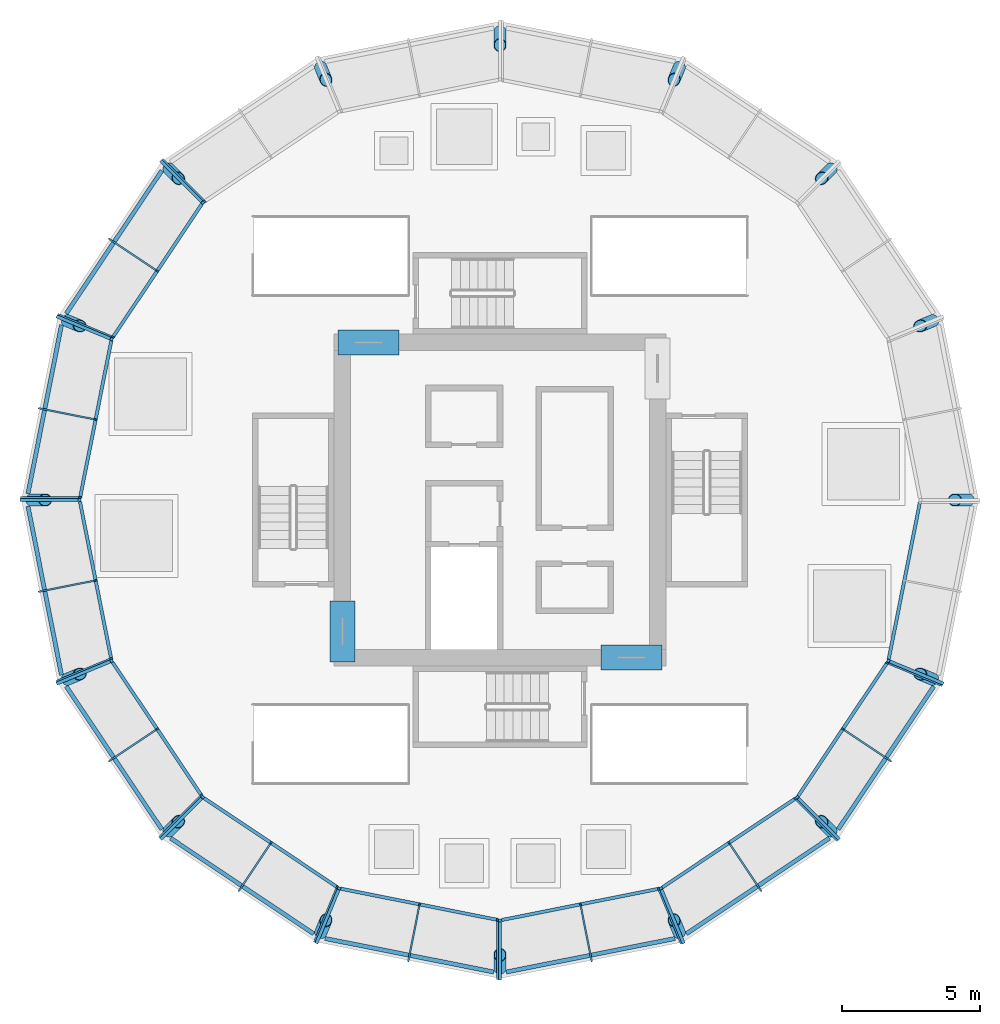
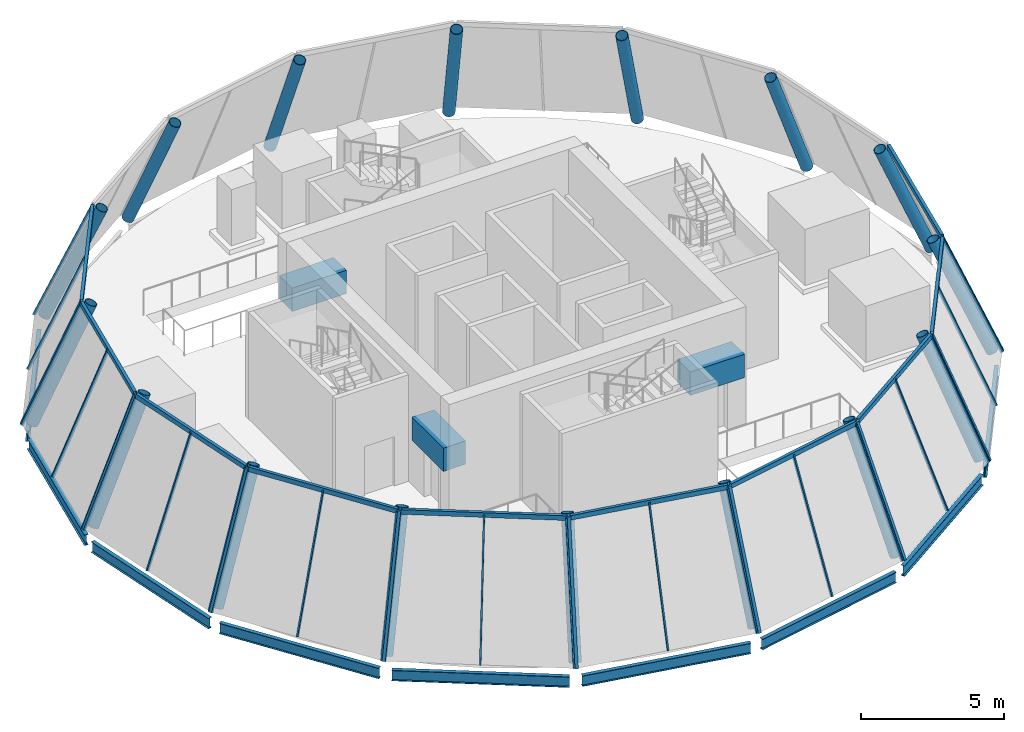
# One storey, part 1 of 8: 39 members, 16 columns, 12 beams, 11 elements without a shape of their own.
"""IFC4 building model written with IfcOpenShell, lengths in metres."""

from ifc_helpers import new_model, si_unit, direction, frame, origin, origin_2d, place, context, subcontext, project, spatial, rectangle, hollow_rectangle, hollow_circle, i_section, extrude, material, material_profile, profile_set, type_object, element, aggregate, save


model = new_model("IFC4")

# Units and contexts
model_context = context("Model", 3, precision=1e-05, world=origin(), true_north=direction((0.0, 1.0)))
body_context = subcontext(model_context, "Body", "Model", "MODEL_VIEW")
ifc_project = project(units=[si_unit("LENGTHUNIT", "METRE"), si_unit("AREAUNIT", "SQUARE_METRE"), si_unit("VOLUMEUNIT", "CUBIC_METRE"), si_unit("PLANEANGLEUNIT", "RADIAN"), si_unit("MASSUNIT", "GRAM", prefix="KILO")], contexts=[model_context])

# Site, building, storey
site_placement = place(None, origin())
site = spatial("IfcSite", under=ifc_project, at=site_placement, CompositionType="ELEMENT")
building_placement = place(site_placement, origin())
building = spatial("IfcBuilding", under=site, at=building_placement, Name="Corvane Civic Tower", CompositionType="ELEMENT")
storey_placement = place(building_placement, frame((0.0, 0.0, 392.5)))
storey = spatial("IfcBuildingStorey", under=building, at=storey_placement, Name="L93", CompositionType="ELEMENT", Elevation=392.5)

# Columns
ifc_material_1 = material(Name="Steel ASTM A572 Gr 50", Category="steel")
ifc_material_profile_1 = material_profile(ifc_material_1, hollow_circle(Radius=0.22509765625, WallThickness=0.02001953125, at=origin_2d()), Name="CHS450X20")
ifc_profile_set_1 = profile_set([ifc_material_profile_1], Name="Steel ASTM A572 Gr 50")
column_type = type_object("IfcColumnType", Name="CROWN RIB CHS450X20", PredefinedType="COLUMN", material=ifc_profile_set_1)
for number, where, z_axis, x_axis, name in (
    (1, (0.0, 16.939453125, 0.02490234375), (0.0, -0.387218591006, 0.921987940691), (1.0, 0.0, 0.0), "Crown rib CR-1"),
    (2, (6.482421875, 15.650146484375, 0.02490234375), (-0.14818571213, -0.357752270705, 0.92198389765), (0.92387965154, -0.382683145003, 0.0), "Crown rib CR-3"),
    (3, (11.97802734375, 11.97802734375, 0.02490234375), (-0.273808220649, -0.273808220649, 0.921985963347), (0.707106781187, -0.707106781187, 0.0), "Crown rib CR-5"),
    (4, (15.650146484375, 6.482421875, 0.02490234375), (-0.357752270705, -0.14818571213, 0.92198389765), (0.382683145003, -0.92387965154, 0.0), "Crown rib CR-7"),
    (5, (16.939453125, 0.0, 0.02490234375), (-0.387218591006, 0.0, 0.921987940691), (0.0, -1.0, 0.0), "Crown rib CR-9"),
    (6, (15.650146484375, -6.482421875, 0.02490234375), (-0.357752270705, 0.14818571213, 0.92198389765), (-0.382683145003, -0.92387965154, 0.0), "Crown rib CR-11"),
    (7, (11.97802734375, -11.97802734375, 0.02490234375), (-0.273808220649, 0.273808220649, 0.921985963347), (-0.707106781187, -0.707106781187, 0.0), "Crown rib CR-13"),
    (8, (6.482421875, -15.650146484375, 0.02490234375), (-0.14818571213, 0.357752270705, 0.92198389765), (-0.92387965154, -0.382683145003, 0.0), "Crown rib CR-15"),
    (9, (0.0, -16.939453125, 0.02490234375), (0.0, 0.387218591006, 0.921987940691), (-1.0, 0.0, 0.0), "Crown rib CR-17"),
    (10, (-6.482421875, -15.650146484375, 0.02490234375), (0.14818571213, 0.357752270705, 0.92198389765), (-0.92387965154, 0.382683145003, 0.0), "Crown rib CR-19"),
    (11, (-11.97802734375, -11.97802734375, 0.02490234375), (0.273808220649, 0.273808220649, 0.921985963347), (-0.707106781187, 0.707106781187, 0.0), "Crown rib CR-21"),
    (12, (-15.650146484375, -6.482421875, 0.02490234375), (0.357752270705, 0.14818571213, 0.92198389765), (-0.382683145003, 0.92387965154, 0.0), "Crown rib CR-23"),
    (13, (-16.939453125, 0.0, 0.02490234375), (0.387218591006, 0.0, 0.921987940691), (0.0, 1.0, 0.0), "Crown rib CR-25"),
    (14, (-15.650146484375, 6.482421875, 0.02490234375), (0.357752270705, -0.14818571213, 0.92198389765), (0.382683145003, 0.92387965154, 0.0), "Crown rib CR-27"),
    (15, (-11.97802734375, 11.97802734375, 0.02490234375), (0.273808220649, -0.273808220649, 0.921985963347), (0.707106781187, 0.707106781187, 0.0), "Crown rib CR-29"),
    (16, (-6.482421875, 15.650146484375, 0.02490234375), (0.14818571213, -0.357752270705, 0.92198389765), (0.92387965154, 0.382683145003, 0.0), "Crown rib CR-31"),
):
    element("IfcColumn", number, at=place(storey_placement, frame(where, z_axis=z_axis, x_axis=x_axis)), inside=storey, type_object=column_type, Name=name, PredefinedType="COLUMN", context=body_context, shape_type="SweptSolid", body=[
        extrude(hollow_circle(Radius=0.22509765625, WallThickness=0.02001953125, at=origin_2d()), origin(), (0.0, 0.0, 1.0), 5.37744140625),
    ])

# Beams
ifc_material_2 = material(Name="Concrete C40/50", Category="concrete")
ifc_material_profile_2 = material_profile(ifc_material_2, rectangle(XDim=0.89990234375, YDim=1.0, at=origin_2d()), Name="COUPLING BEAM 900X1000")
ifc_profile_set_2 = profile_set([ifc_material_profile_2], Name="Concrete C40/50")
beam_type_1 = type_object("IfcBeamType", Name="COUPLING BEAM COUPLING BEAM 900X1000", PredefinedType="BEAM", material=ifc_profile_set_2)
for number, where, z_axis, x_axis, name in (
    (17, (-5.85009765625, 5.699951171875, 2.60009765625), (1.0, 0.0, 0.0), (0.0, 1.0, 0.0), "BM-L93-cpl-CW-N"),
    (18, (-5.699951171875, -5.85009765625, 2.60009765625), (0.0, 1.0, 0.0), (-1.0, 0.0, 0.0), "BM-L93-cpl-CW-W"),
    (19, (3.64990234375, -5.699951171875, 2.60009765625), (1.0, 0.0, 0.0), (0.0, 1.0, 0.0), "BM-L93-cpl-CW-S"),
):
    element("IfcBeam", number, at=place(storey_placement, frame(where, z_axis=z_axis, x_axis=x_axis)), inside=storey, type_object=beam_type_1, Name=name, PredefinedType="BEAM", context=body_context, shape_type="SweptSolid", body=[
        extrude(rectangle(XDim=0.89990234375, YDim=1.0, at=origin_2d()), origin(), (0.0, 0.0, 1.0), 2.2001953125),
    ])

# Curtain wall, member
ifc_material_3 = material(Name="Aluminium and glass", Category="aluminium")
curtain_wall_type = type_object("IfcCurtainWallType", Name="CROWN-CW-K-FACET", PredefinedType="NOTDEFINED", material=ifc_material_3)
curtain_wall_1_placement = place(storey_placement, origin())
curtain_wall_1 = element("IfcCurtainWall", 20, at=curtain_wall_1_placement, inside=storey, type_object=curtain_wall_type, Name="Glass cone facet 2 row 2", PredefinedType="NOTDEFINED")
ifc_material_4 = material(Name="Steel ASTM A500 Gr C", Category="steel")
ifc_material_profile_3 = material_profile(ifc_material_4, hollow_rectangle(XDim=0.06005859375, YDim=0.1201171875, WallThickness=0.0048828125, at=origin_2d()), Name="RHS 120x60x5")
ifc_profile_set_3 = profile_set([ifc_material_profile_3], Name="Steel ASTM A500 Gr C")
member_type_1 = type_object("IfcMemberType", Name="CROWN-CWK-MULLION-RHS120x60x5", PredefinedType="MULLION", material=ifc_profile_set_3)
member_1_placement = place(storey_placement, frame((-12.158203125, 12.282958984375, 0.0), z_axis=(0.273846803484, -0.273801785104, 0.921976415477), x_axis=(0.70704865247, 0.707164905125, 0.0)))
member_1 = element("IfcMember", 21, at=member_1_placement, type_object=member_type_1, Name="Cone mullion 2.2J", PredefinedType="MULLION", context=body_context, shape_type="SweptSolid", body=[
    extrude(hollow_rectangle(XDim=0.06005859375, YDim=0.1201171875, WallThickness=0.0048828125, at=origin_2d()), origin(), (0.0, 0.0, 1.0), 5.423095703125),
])
aggregate(curtain_wall_1, [member_1])

# Curtain wall, members
curtain_wall_2_placement = place(storey_placement, origin())
curtain_wall_2 = element("IfcCurtainWall", 22, at=curtain_wall_2_placement, inside=storey, type_object=curtain_wall_type, Name="Glass cone facet 3 row 2", PredefinedType="NOTDEFINED")
member_2_placement = place(storey_placement, frame((-14.10791015625, 9.426513671875, 0.0), z_axis=(0.316671182623, -0.211565606184, 0.924640122629), x_axis=(0.555520650274, 0.831502740295, 0.0)))
member_2 = element("IfcMember", 23, at=member_2_placement, type_object=member_type_1, Name="Cone mullion 3.2M", PredefinedType="MULLION", context=body_context, shape_type="SweptSolid", body=[
    extrude(hollow_rectangle(XDim=0.06005859375, YDim=0.1201171875, WallThickness=0.0048828125, at=origin_2d()), origin(), (0.0, 0.0, 1.0), 5.407470703125),
])
member_3_placement = place(storey_placement, frame((-15.93310546875, 6.6953125, 0.0), z_axis=(0.35776162147, -0.148200737118, 0.921977854247), x_axis=(0.38270772543, 0.92386946962, 0.0)))
member_3 = element("IfcMember", 24, at=member_3_placement, type_object=member_type_1, Name="Cone mullion 3.2J", PredefinedType="MULLION", context=body_context, shape_type="SweptSolid", body=[
    extrude(hollow_rectangle(XDim=0.06005859375, YDim=0.1201171875, WallThickness=0.0048828125, at=origin_2d()), origin(), (0.0, 0.0, 1.0), 5.423095703125),
])

curtain_wall_3_placement = place(storey_placement, origin())
curtain_wall_3 = element("IfcCurtainWall", 25, at=curtain_wall_3_placement, inside=storey, type_object=curtain_wall_type, Name="Glass cone facet 4 row 2", PredefinedType="NOTDEFINED")
member_4_placement = place(storey_placement, frame((-16.6416015625, 3.310302734375, 0.0), z_axis=(0.373553043636, -0.074313307931, 0.924627306462), x_axis=(0.195113021404, 0.980780764941, 0.0)))
member_4 = element("IfcMember", 26, at=member_4_placement, type_object=member_type_1, Name="Cone mullion 4.2M", PredefinedType="MULLION", context=body_context, shape_type="SweptSolid", body=[
    extrude(hollow_rectangle(XDim=0.06005859375, YDim=0.1201171875, WallThickness=0.0048828125, at=origin_2d()), origin(), (0.0, 0.0, 1.0), 5.407470703125),
])
member_5_placement = place(storey_placement, frame((-17.282470703125, 0.08837890625, 0.0), z_axis=(0.387247791457, 0.0, 0.921975676475), x_axis=(0.0, 1.0, 0.0)))
member_5 = element("IfcMember", 27, at=member_5_placement, type_object=member_type_1, Name="Cone mullion 4.2J", PredefinedType="MULLION", context=body_context, shape_type="SweptSolid", body=[
    extrude(hollow_rectangle(XDim=0.06005859375, YDim=0.1201171875, WallThickness=0.0048828125, at=origin_2d()), origin(), (0.0, 0.0, 1.0), 5.423095703125),
])

curtain_wall_4_placement = place(storey_placement, origin())
curtain_wall_4 = element("IfcCurtainWall", 28, at=curtain_wall_4_placement, inside=storey, type_object=curtain_wall_type, Name="Glass cone facet 5 row 2", PredefinedType="NOTDEFINED")
member_6_placement = place(storey_placement, frame((-16.6416015625, -3.310302734375, 0.0), z_axis=(0.373553043636, 0.074313307931, 0.924627306462), x_axis=(-0.195113021404, 0.980780764941, 0.0)))
member_6 = element("IfcMember", 29, at=member_6_placement, type_object=member_type_1, Name="Cone mullion 5.2M", PredefinedType="MULLION", context=body_context, shape_type="SweptSolid", body=[
    extrude(hollow_rectangle(XDim=0.06005859375, YDim=0.1201171875, WallThickness=0.0048828125, at=origin_2d()), origin(), (0.0, 0.0, 1.0), 5.407470703125),
])
member_7_placement = place(storey_placement, frame((-16.000732421875, -6.531982421875, 0.0), z_axis=(0.357764008033, 0.148156706988, 0.921984004596), x_axis=(-0.382608492088, 0.92391057023, 0.0)))
member_7 = element("IfcMember", 30, at=member_7_placement, type_object=member_type_1, Name="Cone mullion 5.2J", PredefinedType="MULLION", context=body_context, shape_type="SweptSolid", body=[
    extrude(hollow_rectangle(XDim=0.06005859375, YDim=0.1201171875, WallThickness=0.0048828125, at=origin_2d()), origin(), (0.0, 0.0, 1.0), 5.423095703125),
])

curtain_wall_5_placement = place(storey_placement, origin())
curtain_wall_5 = element("IfcCurtainWall", 31, at=curtain_wall_5_placement, inside=storey, type_object=curtain_wall_type, Name="Glass cone facet 6 row 2", PredefinedType="NOTDEFINED")
member_8_placement = place(storey_placement, frame((-14.10791015625, -9.426513671875, 0.0), z_axis=(0.316671182623, 0.211565606184, 0.924640122629), x_axis=(-0.555520650274, 0.831502740295, 0.0)))
member_8 = element("IfcMember", 32, at=member_8_placement, type_object=member_type_1, Name="Cone mullion 6.2M", PredefinedType="MULLION", context=body_context, shape_type="SweptSolid", body=[
    extrude(hollow_rectangle(XDim=0.06005859375, YDim=0.1201171875, WallThickness=0.0048828125, at=origin_2d()), origin(), (0.0, 0.0, 1.0), 5.407470703125),
])
member_9_placement = place(storey_placement, frame((-12.282958984375, -12.158203125, 0.0), z_axis=(0.273801785104, 0.273846803484, 0.921976415477), x_axis=(-0.707164905125, 0.70704865247, 0.0)))
member_9 = element("IfcMember", 33, at=member_9_placement, type_object=member_type_1, Name="Cone mullion 6.2J", PredefinedType="MULLION", context=body_context, shape_type="SweptSolid", body=[
    extrude(hollow_rectangle(XDim=0.06005859375, YDim=0.1201171875, WallThickness=0.0048828125, at=origin_2d()), origin(), (0.0, 0.0, 1.0), 5.423095703125),
])

curtain_wall_6_placement = place(storey_placement, origin())
curtain_wall_6 = element("IfcCurtainWall", 34, at=curtain_wall_6_placement, inside=storey, type_object=curtain_wall_type, Name="Glass cone facet 7 row 2", PredefinedType="NOTDEFINED")
member_10_placement = place(storey_placement, frame((-9.426513671875, -14.10791015625, 0.0), z_axis=(0.211565606184, 0.316671182623, 0.924640122629), x_axis=(-0.831502740295, 0.555520650274, 0.0)))
member_10 = element("IfcMember", 35, at=member_10_placement, type_object=member_type_1, Name="Cone mullion 7.2M", PredefinedType="MULLION", context=body_context, shape_type="SweptSolid", body=[
    extrude(hollow_rectangle(XDim=0.06005859375, YDim=0.1201171875, WallThickness=0.0048828125, at=origin_2d()), origin(), (0.0, 0.0, 1.0), 5.407470703125),
])
member_11_placement = place(storey_placement, frame((-6.6953125, -15.93310546875, 0.0), z_axis=(0.148200737118, 0.35776162147, 0.921977854247), x_axis=(-0.92386946962, 0.38270772543, 0.0)))
member_11 = element("IfcMember", 36, at=member_11_placement, type_object=member_type_1, Name="Cone mullion 7.2J", PredefinedType="MULLION", context=body_context, shape_type="SweptSolid", body=[
    extrude(hollow_rectangle(XDim=0.06005859375, YDim=0.1201171875, WallThickness=0.0048828125, at=origin_2d()), origin(), (0.0, 0.0, 1.0), 5.423095703125),
])

curtain_wall_7_placement = place(storey_placement, origin())
curtain_wall_7 = element("IfcCurtainWall", 37, at=curtain_wall_7_placement, inside=storey, type_object=curtain_wall_type, Name="Glass cone facet 8 row 2", PredefinedType="NOTDEFINED")
member_12_placement = place(storey_placement, frame((-3.310302734375, -16.6416015625, 0.0), z_axis=(0.074313307931, 0.373553043636, 0.924627306462), x_axis=(-0.980780764941, 0.195113021404, 0.0)))
member_12 = element("IfcMember", 38, at=member_12_placement, type_object=member_type_1, Name="Cone mullion 8.2M", PredefinedType="MULLION", context=body_context, shape_type="SweptSolid", body=[
    extrude(hollow_rectangle(XDim=0.06005859375, YDim=0.1201171875, WallThickness=0.0048828125, at=origin_2d()), origin(), (0.0, 0.0, 1.0), 5.407470703125),
])
member_13_placement = place(storey_placement, frame((-0.08837890625, -17.282470703125, 0.0), z_axis=(0.0, 0.387247791457, 0.921975676475), x_axis=(-1.0, 0.0, 0.0)))
member_13 = element("IfcMember", 39, at=member_13_placement, type_object=member_type_1, Name="Cone mullion 8.2J", PredefinedType="MULLION", context=body_context, shape_type="SweptSolid", body=[
    extrude(hollow_rectangle(XDim=0.06005859375, YDim=0.1201171875, WallThickness=0.0048828125, at=origin_2d()), origin(), (0.0, 0.0, 1.0), 5.423095703125),
])

curtain_wall_8_placement = place(storey_placement, origin())
curtain_wall_8 = element("IfcCurtainWall", 40, at=curtain_wall_8_placement, inside=storey, type_object=curtain_wall_type, Name="Glass cone facet 9 row 2", PredefinedType="NOTDEFINED")
member_14_placement = place(storey_placement, frame((3.310302734375, -16.6416015625, 0.0), z_axis=(-0.074313307931, 0.373553043636, 0.924627306462), x_axis=(-0.980780764941, -0.195113021404, 0.0)))
member_14 = element("IfcMember", 41, at=member_14_placement, type_object=member_type_1, Name="Cone mullion 9.2M", PredefinedType="MULLION", context=body_context, shape_type="SweptSolid", body=[
    extrude(hollow_rectangle(XDim=0.06005859375, YDim=0.1201171875, WallThickness=0.0048828125, at=origin_2d()), origin(), (0.0, 0.0, 1.0), 5.407470703125),
])
member_15_placement = place(storey_placement, frame((6.531982421875, -16.000732421875, 0.0), z_axis=(-0.148156706988, 0.357764008033, 0.921984004596), x_axis=(-0.92391057023, -0.382608492088, 0.0)))
member_15 = element("IfcMember", 42, at=member_15_placement, type_object=member_type_1, Name="Cone mullion 9.2J", PredefinedType="MULLION", context=body_context, shape_type="SweptSolid", body=[
    extrude(hollow_rectangle(XDim=0.06005859375, YDim=0.1201171875, WallThickness=0.0048828125, at=origin_2d()), origin(), (0.0, 0.0, 1.0), 5.423095703125),
])

curtain_wall_9_placement = place(storey_placement, origin())
curtain_wall_9 = element("IfcCurtainWall", 43, at=curtain_wall_9_placement, inside=storey, type_object=curtain_wall_type, Name="Glass cone facet 10 row 2", PredefinedType="NOTDEFINED")
member_16_placement = place(storey_placement, frame((9.426513671875, -14.10791015625, 0.0), z_axis=(-0.211565606184, 0.316671182623, 0.924640122629), x_axis=(-0.831502740295, -0.555520650274, 0.0)))
member_16 = element("IfcMember", 44, at=member_16_placement, type_object=member_type_1, Name="Cone mullion 10.2M", PredefinedType="MULLION", context=body_context, shape_type="SweptSolid", body=[
    extrude(hollow_rectangle(XDim=0.06005859375, YDim=0.1201171875, WallThickness=0.0048828125, at=origin_2d()), origin(), (0.0, 0.0, 1.0), 5.407470703125),
])
member_17_placement = place(storey_placement, frame((12.158203125, -12.282958984375, 0.0), z_axis=(-0.273846803484, 0.273801785104, 0.921976415477), x_axis=(-0.70704865247, -0.707164905125, 0.0)))
member_17 = element("IfcMember", 45, at=member_17_placement, type_object=member_type_1, Name="Cone mullion 10.2J", PredefinedType="MULLION", context=body_context, shape_type="SweptSolid", body=[
    extrude(hollow_rectangle(XDim=0.06005859375, YDim=0.1201171875, WallThickness=0.0048828125, at=origin_2d()), origin(), (0.0, 0.0, 1.0), 5.423095703125),
])

curtain_wall_10_placement = place(storey_placement, origin())
curtain_wall_10 = element("IfcCurtainWall", 46, at=curtain_wall_10_placement, inside=storey, type_object=curtain_wall_type, Name="Glass cone facet 11 row 2", PredefinedType="NOTDEFINED")
member_18_placement = place(storey_placement, frame((14.10791015625, -9.426513671875, 0.0), z_axis=(-0.316671182623, 0.211565606184, 0.924640122629), x_axis=(-0.555520650274, -0.831502740295, 0.0)))
member_18 = element("IfcMember", 47, at=member_18_placement, type_object=member_type_1, Name="Cone mullion 11.2M", PredefinedType="MULLION", context=body_context, shape_type="SweptSolid", body=[
    extrude(hollow_rectangle(XDim=0.06005859375, YDim=0.1201171875, WallThickness=0.0048828125, at=origin_2d()), origin(), (0.0, 0.0, 1.0), 5.407470703125),
])
member_19_placement = place(storey_placement, frame((15.93310546875, -6.6953125, 0.0), z_axis=(-0.35776162147, 0.148200737118, 0.921977854247), x_axis=(-0.38270772543, -0.92386946962, 0.0)))
member_19 = element("IfcMember", 48, at=member_19_placement, type_object=member_type_1, Name="Cone mullion 11.2J", PredefinedType="MULLION", context=body_context, shape_type="SweptSolid", body=[
    extrude(hollow_rectangle(XDim=0.06005859375, YDim=0.1201171875, WallThickness=0.0048828125, at=origin_2d()), origin(), (0.0, 0.0, 1.0), 5.423095703125),
])

# Member
ifc_material_5 = material(Name="Steel ASTM A500 Gr C", Category="steel")
ifc_material_profile_4 = material_profile(ifc_material_5, hollow_rectangle(XDim=0.1201171875, YDim=0.1201171875, WallThickness=0.006103515625, at=origin_2d()), Name="RHS 120x120x6")
ifc_profile_set_4 = profile_set([ifc_material_profile_4], Name="Steel ASTM A500 Gr C")
member_type_2 = type_object("IfcMemberType", Name="CROWN-CWK-RIB-RHS120x120x6", PredefinedType="MULLION", material=ifc_profile_set_4)
member_20_placement = place(storey_placement, frame((-12.23291015625, 12.23291015625, 0.0), z_axis=(0.273805160356, -0.273805160356, 0.921987781007), x_axis=(0.707106781187, 0.707106781187, 0.0)))
member_20 = element("IfcMember", 49, at=member_20_placement, type_object=member_type_2, Name="Cone rib 3.2", PredefinedType="MULLION", context=body_context, shape_type="SweptSolid", body=[
    extrude(hollow_rectangle(XDim=0.1201171875, YDim=0.1201171875, WallThickness=0.006103515625, at=origin_2d()), origin(), (0.0, 0.0, 1.0), 5.423095703125),
])

member_21_placement = place(storey_placement, frame((-15.983154296875, 6.620361328125, 0.0), z_axis=(0.357764008033, -0.148156706988, 0.921984004596), x_axis=(0.382608492088, 0.92391057023, 0.0)))
member_21 = element("IfcMember", 50, at=member_21_placement, type_object=member_type_2, Name="Cone rib 4.2", PredefinedType="MULLION", context=body_context, shape_type="SweptSolid", body=[
    extrude(hollow_rectangle(XDim=0.1201171875, YDim=0.1201171875, WallThickness=0.006103515625, at=origin_2d()), origin(), (0.0, 0.0, 1.0), 5.423095703125),
])

member_22_placement = place(storey_placement, frame((-17.300048828125, 0.0, 0.0), z_axis=(0.387247791457, 0.0, 0.921975676475), x_axis=(0.0, 1.0, 0.0)))
member_22 = element("IfcMember", 51, at=member_22_placement, type_object=member_type_2, Name="Cone rib 5.2", PredefinedType="MULLION", context=body_context, shape_type="SweptSolid", body=[
    extrude(hollow_rectangle(XDim=0.1201171875, YDim=0.1201171875, WallThickness=0.006103515625, at=origin_2d()), origin(), (0.0, 0.0, 1.0), 5.423095703125),
])

member_23_placement = place(storey_placement, frame((-15.983154296875, -6.620361328125, 0.0), z_axis=(0.357764008033, 0.148156706988, 0.921984004596), x_axis=(-0.382608492088, 0.92391057023, 0.0)))
member_23 = element("IfcMember", 52, at=member_23_placement, type_object=member_type_2, Name="Cone rib 6.2", PredefinedType="MULLION", context=body_context, shape_type="SweptSolid", body=[
    extrude(hollow_rectangle(XDim=0.1201171875, YDim=0.1201171875, WallThickness=0.006103515625, at=origin_2d()), origin(), (0.0, 0.0, 1.0), 5.423095703125),
])

member_24_placement = place(storey_placement, frame((-12.23291015625, -12.23291015625, 0.0), z_axis=(0.273805160356, 0.273805160356, 0.921987781007), x_axis=(-0.707106781187, 0.707106781187, 0.0)))
member_24 = element("IfcMember", 53, at=member_24_placement, type_object=member_type_2, Name="Cone rib 7.2", PredefinedType="MULLION", context=body_context, shape_type="SweptSolid", body=[
    extrude(hollow_rectangle(XDim=0.1201171875, YDim=0.1201171875, WallThickness=0.006103515625, at=origin_2d()), origin(), (0.0, 0.0, 1.0), 5.423095703125),
])

member_25_placement = place(storey_placement, frame((-6.620361328125, -15.983154296875, 0.0), z_axis=(0.148156706988, 0.357764008033, 0.921984004596), x_axis=(-0.92391057023, 0.382608492088, 0.0)))
member_25 = element("IfcMember", 54, at=member_25_placement, type_object=member_type_2, Name="Cone rib 8.2", PredefinedType="MULLION", context=body_context, shape_type="SweptSolid", body=[
    extrude(hollow_rectangle(XDim=0.1201171875, YDim=0.1201171875, WallThickness=0.006103515625, at=origin_2d()), origin(), (0.0, 0.0, 1.0), 5.423095703125),
])

member_26_placement = place(storey_placement, frame((0.0, -17.300048828125, 0.0), z_axis=(0.0, 0.387247791457, 0.921975676475), x_axis=(-1.0, 0.0, 0.0)))
member_26 = element("IfcMember", 55, at=member_26_placement, type_object=member_type_2, Name="Cone rib 9.2", PredefinedType="MULLION", context=body_context, shape_type="SweptSolid", body=[
    extrude(hollow_rectangle(XDim=0.1201171875, YDim=0.1201171875, WallThickness=0.006103515625, at=origin_2d()), origin(), (0.0, 0.0, 1.0), 5.423095703125),
])

member_27_placement = place(storey_placement, frame((6.620361328125, -15.983154296875, 0.0), z_axis=(-0.148156706988, 0.357764008033, 0.921984004596), x_axis=(-0.92391057023, -0.382608492088, 0.0)))
member_27 = element("IfcMember", 56, at=member_27_placement, type_object=member_type_2, Name="Cone rib 10.2", PredefinedType="MULLION", context=body_context, shape_type="SweptSolid", body=[
    extrude(hollow_rectangle(XDim=0.1201171875, YDim=0.1201171875, WallThickness=0.006103515625, at=origin_2d()), origin(), (0.0, 0.0, 1.0), 5.423095703125),
])

member_28_placement = place(storey_placement, frame((12.23291015625, -12.23291015625, 0.0), z_axis=(-0.273805160356, 0.273805160356, 0.921987781007), x_axis=(-0.707106781187, -0.707106781187, 0.0)))
member_28 = element("IfcMember", 57, at=member_28_placement, type_object=member_type_2, Name="Cone rib 11.2", PredefinedType="MULLION", context=body_context, shape_type="SweptSolid", body=[
    extrude(hollow_rectangle(XDim=0.1201171875, YDim=0.1201171875, WallThickness=0.006103515625, at=origin_2d()), origin(), (0.0, 0.0, 1.0), 5.423095703125),
])

# Curtain wall, member
curtain_wall_11_placement = place(storey_placement, origin())
curtain_wall_11 = element("IfcCurtainWall", 58, at=curtain_wall_11_placement, inside=storey, type_object=curtain_wall_type, Name="Glass cone facet 12 row 2", PredefinedType="NOTDEFINED")
member_29_placement = place(storey_placement, frame((15.983154296875, -6.620361328125, 0.0), z_axis=(-0.357764008033, 0.148156706988, 0.921984004596), x_axis=(-0.382608492088, -0.92391057023, 0.0)))
member_29 = element("IfcMember", 59, at=member_29_placement, type_object=member_type_2, Name="Cone rib 12.2", PredefinedType="MULLION", context=body_context, shape_type="SweptSolid", body=[
    extrude(hollow_rectangle(XDim=0.1201171875, YDim=0.1201171875, WallThickness=0.006103515625, at=origin_2d()), origin(), (0.0, 0.0, 1.0), 5.423095703125),
])

# Member
ifc_material_6 = material(Name="Steel ASTM A500 Gr C", Category="steel")
ifc_material_profile_5 = material_profile(ifc_material_6, hollow_rectangle(XDim=0.1201171875, YDim=0.199951171875, WallThickness=0.006103515625, at=origin_2d()), Name="RHS 200x120x6")
ifc_profile_set_5 = profile_set([ifc_material_profile_5], Name="Steel ASTM A500 Gr C")
member_type_3 = type_object("IfcMemberType", Name="CROWN-CWK-RING-RHS200x120x6", PredefinedType="USERDEFINED", material=ifc_profile_set_5)
member_30_placement = place(storey_placement, frame((-10.781494140625, 10.6982421875, 5.0), z_axis=(-0.555533770998, -0.83149397429, 0.0), x_axis=(0.83149397429, -0.555533770998, 0.0)))
member_30 = element("IfcMember", 60, at=member_30_placement, type_object=member_type_3, Name="Cone ring member 3.2", ObjectType="TRANSOM", PredefinedType="USERDEFINED", context=body_context, shape_type="SweptSolid", body=[
    extrude(hollow_rectangle(XDim=0.1201171875, YDim=0.199951171875, WallThickness=0.006103515625, at=origin_2d()), origin(), (0.0, 0.0, 1.0), 5.810791015625),
])

aggregate(curtain_wall_2, [member_20, member_30, member_2, member_3])

member_31_placement = place(storey_placement, frame((-14.0546875, 5.758056640625, 5.0), z_axis=(-0.195073739341, -0.980788578757, 0.0), x_axis=(0.980788578757, -0.195073739341, 0.0)))
member_31 = element("IfcMember", 61, at=member_31_placement, type_object=member_type_3, Name="Cone ring member 4.2", ObjectType="TRANSOM", PredefinedType="USERDEFINED", context=body_context, shape_type="SweptSolid", body=[
    extrude(hollow_rectangle(XDim=0.1201171875, YDim=0.199951171875, WallThickness=0.006103515625, at=origin_2d()), origin(), (0.0, 0.0, 1.0), 5.810791015625),
])

aggregate(curtain_wall_3, [member_21, member_31, member_4, member_5])

member_32_placement = place(storey_placement, frame((-15.188232421875, -0.058837890625, 5.0), z_axis=(0.195073739341, -0.980788578757, 0.0), x_axis=(0.980788578757, 0.195073739341, 0.0)))
member_32 = element("IfcMember", 62, at=member_32_placement, type_object=member_type_3, Name="Cone ring member 5.2", ObjectType="TRANSOM", PredefinedType="USERDEFINED", context=body_context, shape_type="SweptSolid", body=[
    extrude(hollow_rectangle(XDim=0.1201171875, YDim=0.199951171875, WallThickness=0.006103515625, at=origin_2d()), origin(), (0.0, 0.0, 1.0), 5.810791015625),
])

aggregate(curtain_wall_4, [member_22, member_32, member_6, member_7])

member_33_placement = place(storey_placement, frame((-14.009521484375, -5.86669921875, 5.0), z_axis=(0.555533770998, -0.83149397429, 0.0), x_axis=(0.83149397429, 0.555533770998, 0.0)))
member_33 = element("IfcMember", 63, at=member_33_placement, type_object=member_type_3, Name="Cone ring member 6.2", ObjectType="TRANSOM", PredefinedType="USERDEFINED", context=body_context, shape_type="SweptSolid", body=[
    extrude(hollow_rectangle(XDim=0.1201171875, YDim=0.199951171875, WallThickness=0.006103515625, at=origin_2d()), origin(), (0.0, 0.0, 1.0), 5.810791015625),
])

aggregate(curtain_wall_5, [member_23, member_33, member_8, member_9])

member_34_placement = place(storey_placement, frame((-10.6982421875, -10.781494140625, 5.0), z_axis=(0.83149397429, -0.555533770998, 0.0), x_axis=(0.555533770998, 0.83149397429, 0.0)))
member_34 = element("IfcMember", 64, at=member_34_placement, type_object=member_type_3, Name="Cone ring member 7.2", ObjectType="TRANSOM", PredefinedType="USERDEFINED", context=body_context, shape_type="SweptSolid", body=[
    extrude(hollow_rectangle(XDim=0.1201171875, YDim=0.199951171875, WallThickness=0.006103515625, at=origin_2d()), origin(), (0.0, 0.0, 1.0), 5.810791015625),
])

aggregate(curtain_wall_6, [member_24, member_34, member_10, member_11])

member_35_placement = place(storey_placement, frame((-5.758056640625, -14.0546875, 5.0), z_axis=(0.980788578757, -0.195073739341, 0.0), x_axis=(0.195073739341, 0.980788578757, 0.0)))
member_35 = element("IfcMember", 65, at=member_35_placement, type_object=member_type_3, Name="Cone ring member 8.2", ObjectType="TRANSOM", PredefinedType="USERDEFINED", context=body_context, shape_type="SweptSolid", body=[
    extrude(hollow_rectangle(XDim=0.1201171875, YDim=0.199951171875, WallThickness=0.006103515625, at=origin_2d()), origin(), (0.0, 0.0, 1.0), 5.810791015625),
])

aggregate(curtain_wall_7, [member_25, member_35, member_12, member_13])

member_36_placement = place(storey_placement, frame((0.058837890625, -15.188232421875, 5.0), z_axis=(0.980788578757, 0.195073739341, 0.0), x_axis=(-0.195073739341, 0.980788578757, 0.0)))
member_36 = element("IfcMember", 66, at=member_36_placement, type_object=member_type_3, Name="Cone ring member 9.2", ObjectType="TRANSOM", PredefinedType="USERDEFINED", context=body_context, shape_type="SweptSolid", body=[
    extrude(hollow_rectangle(XDim=0.1201171875, YDim=0.199951171875, WallThickness=0.006103515625, at=origin_2d()), origin(), (0.0, 0.0, 1.0), 5.810791015625),
])

aggregate(curtain_wall_8, [member_26, member_36, member_14, member_15])

member_37_placement = place(storey_placement, frame((5.86669921875, -14.009521484375, 5.0), z_axis=(0.83149397429, 0.555533770998, 0.0), x_axis=(-0.555533770998, 0.83149397429, 0.0)))
member_37 = element("IfcMember", 67, at=member_37_placement, type_object=member_type_3, Name="Cone ring member 10.2", ObjectType="TRANSOM", PredefinedType="USERDEFINED", context=body_context, shape_type="SweptSolid", body=[
    extrude(hollow_rectangle(XDim=0.1201171875, YDim=0.199951171875, WallThickness=0.006103515625, at=origin_2d()), origin(), (0.0, 0.0, 1.0), 5.810791015625),
])

aggregate(curtain_wall_9, [member_27, member_37, member_16, member_17])

member_38_placement = place(storey_placement, frame((10.781494140625, -10.6982421875, 5.0), z_axis=(0.555533770998, 0.83149397429, 0.0), x_axis=(-0.83149397429, 0.555533770998, 0.0)))
member_38 = element("IfcMember", 68, at=member_38_placement, type_object=member_type_3, Name="Cone ring member 11.2", ObjectType="TRANSOM", PredefinedType="USERDEFINED", context=body_context, shape_type="SweptSolid", body=[
    extrude(hollow_rectangle(XDim=0.1201171875, YDim=0.199951171875, WallThickness=0.006103515625, at=origin_2d()), origin(), (0.0, 0.0, 1.0), 5.810791015625),
])

aggregate(curtain_wall_10, [member_28, member_38, member_18, member_19])

member_39_placement = place(storey_placement, frame((14.0546875, -5.758056640625, 5.0), z_axis=(0.195073739341, 0.980788578757, 0.0), x_axis=(-0.980788578757, 0.195073739341, 0.0)))
member_39 = element("IfcMember", 69, at=member_39_placement, type_object=member_type_3, Name="Cone ring member 12.2", ObjectType="TRANSOM", PredefinedType="USERDEFINED", context=body_context, shape_type="SweptSolid", body=[
    extrude(hollow_rectangle(XDim=0.1201171875, YDim=0.199951171875, WallThickness=0.006103515625, at=origin_2d()), origin(), (0.0, 0.0, 1.0), 5.810791015625),
])

aggregate(curtain_wall_11, [member_29, member_39])

# Beams
ifc_material_7 = material(Name="Steel ASTM A992 Gr 50", Category="steel")
ifc_material_profile_6 = material_profile(ifc_material_7, i_section(OverallWidth=0.15283203125, OverallDepth=0.45458984375, WebThickness=0.008056640625, FlangeThickness=0.013427734375, at=origin_2d()), Name="W18X40")
ifc_profile_set_6 = profile_set([ifc_material_profile_6], Name="Steel ASTM A992 Gr 50")
beam_type_2 = type_object("IfcBeamType", Name="EDGE BEAM W18X40", PredefinedType="BEAM", material=ifc_profile_set_6)
for number, where, z_axis, x_axis, name in (
    (70, (15.68505859375, -6.735595703125, -0.67724609375), (-0.555577481941, -0.831464768683, 0.0), (0.831464768683, -0.555577481941, 0.0), "BM-L93-E06"),
    (71, (11.913330078125, -12.225341796875, -0.67724609375), (-0.831464768683, -0.555577481941, 0.0), (0.555577481941, -0.831464768683, 0.0), "BM-L93-E07"),
):
    element("IfcBeam", number, at=place(storey_placement, frame(where, z_axis=z_axis, x_axis=x_axis)), inside=storey, type_object=beam_type_2, Name=name, PredefinedType="BEAM", context=body_context, shape_type="SweptSolid", body=[
        extrude(i_section(OverallWidth=0.15283203125, OverallDepth=0.45458984375, WebThickness=0.008056640625, FlangeThickness=0.013427734375, at=origin_2d()), origin(), (0.0, 0.0, 1.0), 6.227294921875),
    ])
for number, where, z_axis, x_axis, name in (
    (72, (6.327880859375, -15.85400390625, -0.67724609375), (-0.980791228177, -0.195060418156, 0.0), (0.195060418156, -0.980791228177, 0.0), "BM-L93-E08"),
    (73, (-0.220703125, -17.068603515625, -0.67724609375), (-0.980791228177, 0.195060418156, 0.0), (-0.195060418156, -0.980791228177, 0.0), "BM-L93-E09"),
):
    element("IfcBeam", number, at=place(storey_placement, frame(where, z_axis=z_axis, x_axis=x_axis)), inside=storey, type_object=beam_type_2, Name=name, PredefinedType="BEAM", context=body_context, shape_type="SweptSolid", body=[
        extrude(i_section(OverallWidth=0.15283203125, OverallDepth=0.45458984375, WebThickness=0.008056640625, FlangeThickness=0.013427734375, at=origin_2d()), origin(), (0.0, 0.0, 1.0), 6.226806640625),
    ])
for number, where, z_axis, x_axis, name in (
    (74, (-6.735595703125, -15.68505859375, -0.67724609375), (-0.831464768683, 0.555577481941, 0.0), (-0.555577481941, -0.831464768683, 0.0), "BM-L93-E10"),
    (75, (-12.225341796875, -11.913330078125, -0.67724609375), (-0.555577481941, 0.831464768683, 0.0), (-0.831464768683, -0.555577481941, 0.0), "BM-L93-E11"),
):
    element("IfcBeam", number, at=place(storey_placement, frame(where, z_axis=z_axis, x_axis=x_axis)), inside=storey, type_object=beam_type_2, Name=name, PredefinedType="BEAM", context=body_context, shape_type="SweptSolid", body=[
        extrude(i_section(OverallWidth=0.15283203125, OverallDepth=0.45458984375, WebThickness=0.008056640625, FlangeThickness=0.013427734375, at=origin_2d()), origin(), (0.0, 0.0, 1.0), 6.227294921875),
    ])
for number, where, z_axis, x_axis, name in (
    (76, (-15.85400390625, -6.327880859375, -0.67724609375), (-0.195060418156, 0.980791228177, 0.0), (-0.980791228177, -0.195060418156, 0.0), "BM-L93-E12"),
    (77, (-17.068603515625, 0.220703125, -0.67724609375), (0.195060418156, 0.980791228177, 0.0), (-0.980791228177, 0.195060418156, 0.0), "BM-L93-E13"),
):
    element("IfcBeam", number, at=place(storey_placement, frame(where, z_axis=z_axis, x_axis=x_axis)), inside=storey, type_object=beam_type_2, Name=name, PredefinedType="BEAM", context=body_context, shape_type="SweptSolid", body=[
        extrude(i_section(OverallWidth=0.15283203125, OverallDepth=0.45458984375, WebThickness=0.008056640625, FlangeThickness=0.013427734375, at=origin_2d()), origin(), (0.0, 0.0, 1.0), 6.226806640625),
    ])
beam_placement = place(storey_placement, frame((-15.68505859375, 6.735595703125, -0.67724609375), z_axis=(0.555577481941, 0.831464768683, 0.0), x_axis=(-0.831464768683, 0.555577481941, 0.0)))
element("IfcBeam", 78, at=beam_placement, inside=storey, type_object=beam_type_2, Name="BM-L93-E14", PredefinedType="BEAM", context=body_context, shape_type="SweptSolid", body=[
    extrude(i_section(OverallWidth=0.15283203125, OverallDepth=0.45458984375, WebThickness=0.008056640625, FlangeThickness=0.013427734375, at=origin_2d()), origin(), (0.0, 0.0, 1.0), 6.227294921875),
])

save(model, "model.ifc")
